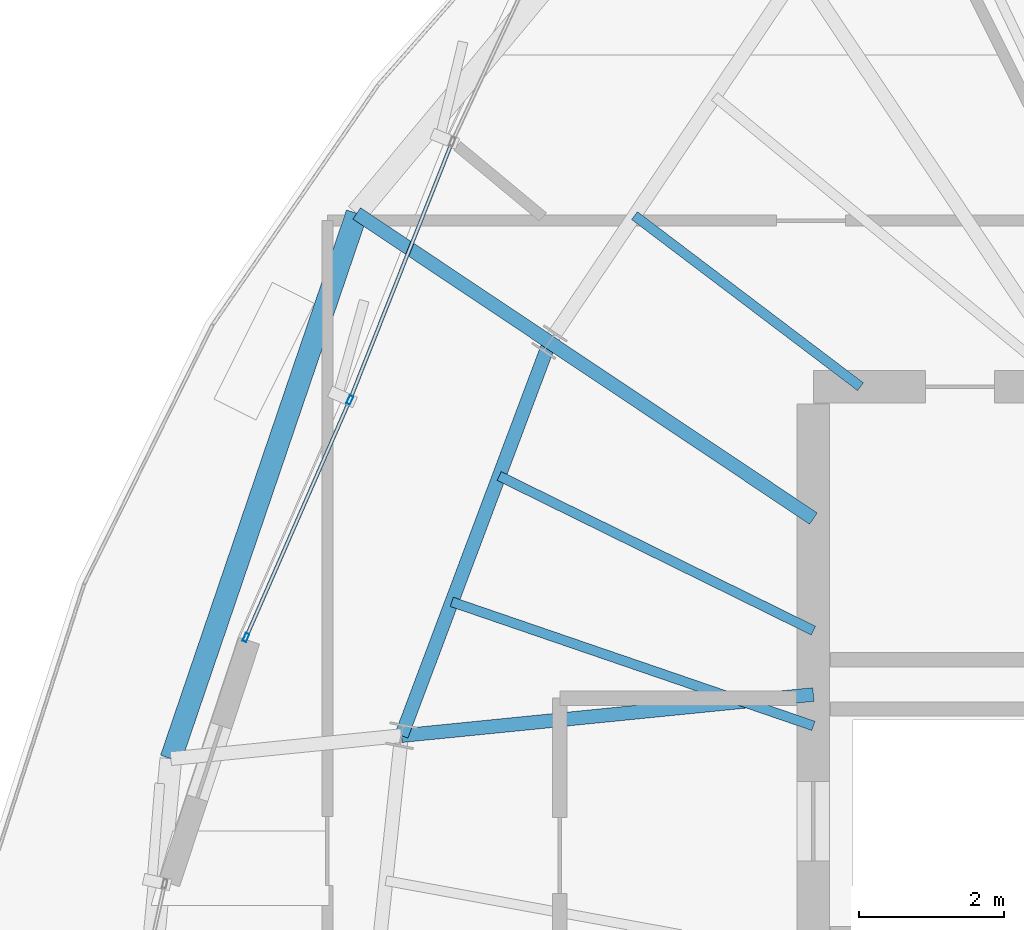
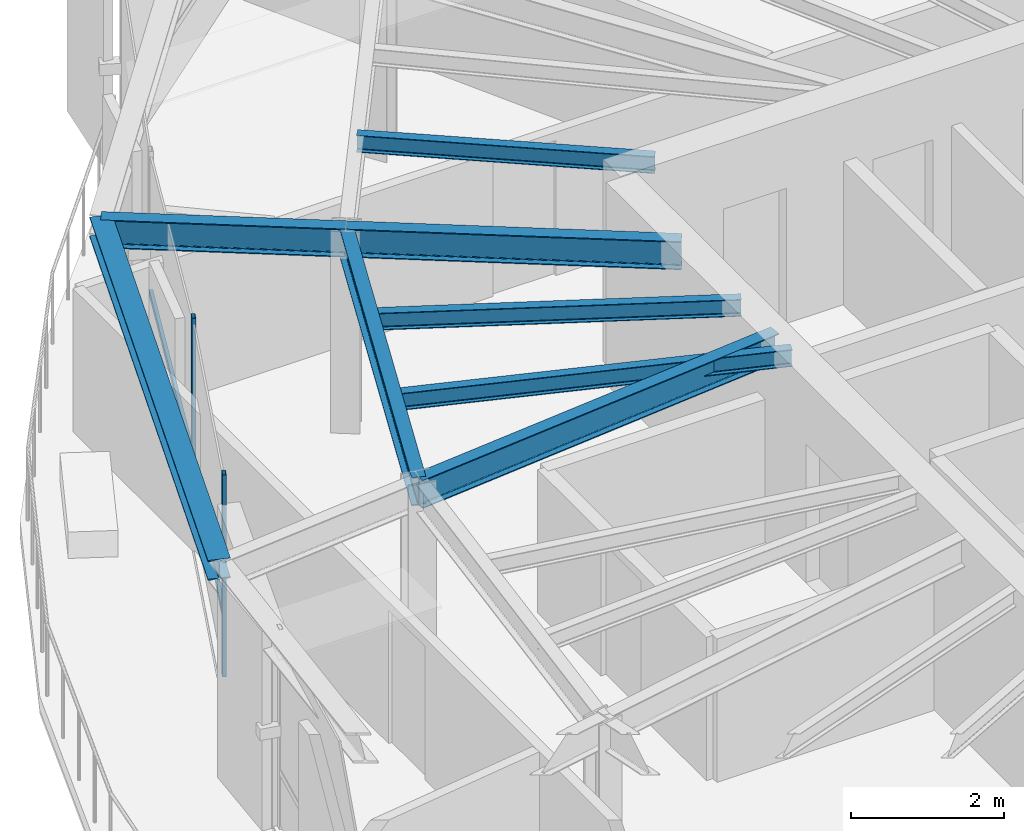
# One storey, part 11 of 36: 8 beams, 4 members, 1 element without a shape of its own.
"""IFC4 building model written with IfcOpenShell, lengths in metres."""

from ifc_helpers import new_model, si_unit, direction, frame, origin, origin_2d, place, context, subcontext, project, spatial, hollow_rectangle, i_section, extrude, source, transform, mapped, material, layer, layer_set, material_profile, profile_set, type_object, element, aggregate, save


model = new_model("IFC4")

# Units and contexts
model_context = context("Model", 3, precision=1e-05, world=origin(), true_north=direction((0.0, 1.0)))
body_context = subcontext(model_context, "Body", "Model", "MODEL_VIEW")
ifc_project = project(units=[si_unit("LENGTHUNIT", "METRE"), si_unit("AREAUNIT", "SQUARE_METRE"), si_unit("VOLUMEUNIT", "CUBIC_METRE"), si_unit("PLANEANGLEUNIT", "RADIAN"), si_unit("MASSUNIT", "GRAM", prefix="KILO"), si_unit("THERMODYNAMICTEMPERATUREUNIT", "KELVIN")], contexts=[model_context])

# Site, building, storey
site_placement = place(None, origin())
site = spatial("IfcSite", under=ifc_project, at=site_placement, CompositionType="ELEMENT")
building_placement = place(site_placement, origin())
building = spatial("IfcBuilding", under=site, at=building_placement, Name="Kethvar Cultural Tower", CompositionType="ELEMENT")
storey_placement = place(building_placement, frame((0.0, 0.0, 242.199951171875)))
storey = spatial("IfcBuildingStorey", under=building, at=storey_placement, Name="L63", CompositionType="ELEMENT", Elevation=242.199951171875)

# Beams
ifc_material_1 = material(Name="Steel S355J2", Category="steel")
ifc_material_profile_1 = material_profile(ifc_material_1, i_section(OverallWidth=0.18994140625, OverallDepth=0.449951171875, WebThickness=0.009521484375, FlangeThickness=0.0146484375, FilletRadius=0.02099609375, at=origin_2d()), Name="Steel S355J2 — IPE450")
ifc_profile_set_1 = profile_set([ifc_material_profile_1], Name="Steel S355J2 — IPE450")
beam_type_1 = type_object("IfcBeamType", Name="BM-IPE450", PredefinedType="BEAM", material=ifc_profile_set_1)
shared_shape_1 = source(origin(), body_context, "Body", "SweptSolid", [
    extrude(i_section(OverallWidth=0.18994140625, OverallDepth=0.449951171875, WebThickness=0.009521484375, FlangeThickness=0.0146484375, FilletRadius=0.02099609375, at=origin_2d()), origin(), (0.0, 0.0, 1.0), 4.3828125),
])
beam_1_placement = place(storey_placement, frame((38.0, 33.679931640625, 2.983154296875), z_axis=(-0.831449909861, 0.555599718676, 0.0), x_axis=(-0.555599718676, -0.831449909861, 0.0)))
element("IfcBeam", 1, at=beam_1_placement, inside=storey, type_object=beam_type_1, Name="L63 Primary Radial Beam RB-07", PredefinedType="BEAM", context=body_context, shape_type="MappedRepresentation", body=[
    mapped(shared_shape_1, transform((0.0, 0.0, 0.0), scale=1.0)),
])
shared_shape_2 = source(origin(), body_context, "Body", "SweptSolid", [
    extrude(i_section(OverallWidth=0.18994140625, OverallDepth=0.449951171875, WebThickness=0.009521484375, FlangeThickness=0.0146484375, FilletRadius=0.02099609375, at=origin_2d()), origin(), (0.0, 0.0, 1.0), 3.19970703125),
])
beam_2_placement = place(storey_placement, frame((34.35595703125, 36.114990234375, 2.983154296875), z_axis=(-0.831498187863, 0.55552746429, 0.0), x_axis=(-0.55552746429, -0.831498187863, 0.0)))
element("IfcBeam", 2, at=beam_2_placement, inside=storey, type_object=beam_type_1, Name="L63 Perimeter Cantilever Beam RC-07", PredefinedType="BEAM", context=body_context, shape_type="MappedRepresentation", body=[
    mapped(shared_shape_2, transform((0.0, 0.0, 0.0), scale=1.0)),
])
shared_shape_3 = source(origin(), body_context, "Body", "SweptSolid", [
    extrude(i_section(OverallWidth=0.18994140625, OverallDepth=0.449951171875, WebThickness=0.009521484375, FlangeThickness=0.0146484375, FilletRadius=0.02099609375, at=origin_2d()), origin(), (0.0, 0.0, 1.0), 5.7158203125),
])
beam_3_placement = place(storey_placement, frame((38.0, 31.25, 2.983154296875), z_axis=(-0.995048179628, -0.099393763478, 0.0), x_axis=(0.099393763478, -0.995048179628, 0.0)))
element("IfcBeam", 3, at=beam_3_placement, inside=storey, type_object=beam_type_1, Name="L63 Primary Radial Beam RB-08", PredefinedType="BEAM", context=body_context, shape_type="MappedRepresentation", body=[
    mapped(shared_shape_3, transform((0.0, 0.0, 0.0), scale=1.0)),
])
ifc_material_profile_2 = material_profile(ifc_material_1, i_section(OverallWidth=0.135009765625, OverallDepth=0.27001953125, WebThickness=0.006591796875, FlangeThickness=0.01025390625, FilletRadius=0.014892578125, at=origin_2d()), Name="Steel S355J2 — IPE270")
ifc_profile_set_2 = profile_set([ifc_material_profile_2], Name="Steel S355J2 — IPE270")
beam_type_2 = type_object("IfcBeamType", Name="BM-J270", PredefinedType="JOIST", material=ifc_profile_set_2)
shared_shape_4 = source(origin(), body_context, "Body", "SweptSolid", [
    extrude(i_section(OverallWidth=0.135009765625, OverallDepth=0.27001953125, WebThickness=0.006591796875, FlangeThickness=0.01025390625, FilletRadius=0.014892578125, at=origin_2d()), origin(), (0.0, 0.0, 1.0), 3.91357421875),
])
beam_4_placement = place(storey_placement, frame((38.64990234375, 35.5, 3.072998046875), z_axis=(-0.797214062325, 0.603696727531, 0.0), x_axis=(-0.603696727531, -0.797214062325, 0.0)))
element("IfcBeam", 4, at=beam_4_placement, inside=storey, type_object=beam_type_2, Name="L63 Composite Floor Joist J-06B", PredefinedType="JOIST", context=body_context, shape_type="MappedRepresentation", body=[
    mapped(shared_shape_4, transform((0.0, 0.0, 0.0), scale=1.0)),
])
shared_shape_5 = source(origin(), body_context, "Body", "SweptSolid", [
    extrude(i_section(OverallWidth=0.18994140625, OverallDepth=0.449951171875, WebThickness=0.009521484375, FlangeThickness=0.0146484375, FilletRadius=0.02099609375, at=origin_2d()), origin(), (0.0, 0.0, 1.0), 5.8046875),
])
beam_5_placement = place(storey_placement, frame((34.35595703125, 36.114990234375, 2.983154296875), z_axis=(-0.352035902861, -0.935986497283, 0.0), x_axis=(0.935986497283, -0.352035902861, 0.0)))
element("IfcBeam", 5, at=beam_5_placement, inside=storey, type_object=beam_type_1, Name="L63 Column Ring Tie Beam CR-07", PredefinedType="BEAM", context=body_context, shape_type="MappedRepresentation", body=[
    mapped(shared_shape_5, transform((0.0, 0.0, 0.0), scale=1.0)),
])
ifc_material_profile_3 = material_profile(ifc_material_1, i_section(OverallWidth=0.300048828125, OverallDepth=0.320068359375, WebThickness=0.011474609375, FlangeThickness=0.0205078125, FilletRadius=0.027099609375, at=origin_2d()), Name="Steel S355J2 — HEB320")
ifc_profile_set_3 = profile_set([ifc_material_profile_3], Name="Steel S355J2 — HEB320")
beam_type_3 = type_object("IfcBeamType", Name="BM-SP320", PredefinedType="SPANDREL", material=ifc_profile_set_3)
shared_shape_6 = source(origin(), body_context, "Body", "SweptSolid", [
    extrude(i_section(OverallWidth=0.300048828125, OverallDepth=0.320068359375, WebThickness=0.011474609375, FlangeThickness=0.0205078125, FilletRadius=0.027099609375, at=origin_2d()), origin(), (0.0, 0.0, 1.0), 7.954345703125),
])
beam_6_placement = place(storey_placement, frame((31.6953125, 37.892578125, 3.048095703125), z_axis=(-0.322730170507, -0.946491012659, 0.0), x_axis=(0.946491012659, -0.322730170507, 0.0)))
element("IfcBeam", 6, at=beam_6_placement, inside=storey, type_object=beam_type_3, Name="L63 Perimeter Spandrel Beam SP-07", PredefinedType="SPANDREL", context=body_context, shape_type="MappedRepresentation", body=[
    mapped(shared_shape_6, transform((0.0, 0.0, 0.0), scale=1.0)),
])
shared_shape_7 = source(origin(), body_context, "Body", "SweptSolid", [
    extrude(i_section(OverallWidth=0.135009765625, OverallDepth=0.27001953125, WebThickness=0.006591796875, FlangeThickness=0.01025390625, FilletRadius=0.014892578125, at=origin_2d()), origin(), (0.0, 0.0, 1.0), 4.8359375),
])
beam_7_placement = place(storey_placement, frame((38.0, 32.1318359375, 3.072998046875), z_axis=(-0.897196527088, 0.441631511308, 0.0), x_axis=(-0.441631511308, -0.897196527088, 0.0)))
element("IfcBeam", 7, at=beam_7_placement, inside=storey, type_object=beam_type_2, Name="L63 Composite Floor Joist J-07A", PredefinedType="JOIST", context=body_context, shape_type="MappedRepresentation", body=[
    mapped(shared_shape_7, transform((0.0, 0.0, 0.0), scale=1.0)),
])
shared_shape_8 = source(origin(), body_context, "Body", "SweptSolid", [
    extrude(i_section(OverallWidth=0.135009765625, OverallDepth=0.27001953125, WebThickness=0.006591796875, FlangeThickness=0.01025390625, FilletRadius=0.014892578125, at=origin_2d()), origin(), (0.0, 0.0, 1.0), 5.2783203125),
])
beam_8_placement = place(storey_placement, frame((38.0, 30.817138671875, 3.072998046875), z_axis=(-0.945942702368, 0.324333784607, 0.0), x_axis=(-0.324333784607, -0.945942702368, 0.0)))
element("IfcBeam", 8, at=beam_8_placement, inside=storey, type_object=beam_type_2, Name="L63 Composite Floor Joist J-07B", PredefinedType="JOIST", context=body_context, shape_type="MappedRepresentation", body=[
    mapped(shared_shape_8, transform((0.0, 0.0, 0.0), scale=1.0)),
])

# Curtain wall, members
ifc_material_2 = material(Name="Aluminium 6063-T6", Category="aluminium")
ifc_layer = layer(ifc_material_2, 0.179931640625, Name="Aluminium 6063-T6", Category="aluminium")
ifc_layer_set = layer_set([ifc_layer], Name="Aluminium 6063-T6 (180 mm)")
curtain_wall_type = type_object("IfcCurtainWallType", Name="CW-SYS-05-Z56", PredefinedType="NOTDEFINED", material=ifc_layer_set)
curtain_wall_placement = place(storey_placement, origin())
curtain_wall = element("IfcCurtainWall", 9, at=curtain_wall_placement, inside=storey, type_object=curtain_wall_type, Name="L63 Curtain Wall Run 02", PredefinedType="NOTDEFINED")
ifc_material_profile_4 = material_profile(ifc_material_2, hollow_rectangle(XDim=0.054931640625, YDim=0.1201171875, WallThickness=0.00390625, at=origin_2d()), Name="Aluminium 6063-T6 — RHS120x55x4")
ifc_profile_set_4 = profile_set([ifc_material_profile_4], Name="Aluminium 6063-T6 — RHS120x55x4")
member_type_1 = type_object("IfcMemberType", Name="CW-SYS-05-Z56-MUL", PredefinedType="MULLION", material=ifc_profile_set_4)
shared_shape_9 = source(origin(), body_context, "Body", "SweptSolid", [
    extrude(hollow_rectangle(XDim=0.054931640625, YDim=0.1201171875, WallThickness=0.00390625, at=origin_2d()), origin(), (0.0, 0.0, 1.0), 3.2099609375),
])
member_1_placement = place(storey_placement, frame((31.59912109375, 35.314697265625, 0.0), z_axis=(0.0, 0.0, 1.0), x_axis=(0.916166972701, -0.400796804043, 0.0)))
member_1 = element("IfcMember", 10, at=member_1_placement, type_object=member_type_1, Name="CW-L63-R02 Mullion 5", PredefinedType="MULLION", context=body_context, shape_type="MappedRepresentation", body=[
    mapped(shared_shape_9, transform((0.0, 0.0, 0.0), scale=1.0)),
])
member_2_placement = place(storey_placement, frame((30.164794921875, 32.0361328125, 0.0), z_axis=(0.0, 0.0, 1.0), x_axis=(0.916166972701, -0.400796804043, 0.0)))
member_2 = element("IfcMember", 11, at=member_2_placement, type_object=member_type_1, Name="CW-L63-R02 Mullion 6", PredefinedType="MULLION", context=body_context, shape_type="MappedRepresentation", body=[
    mapped(shared_shape_9, transform((0.0, 0.0, 0.0), scale=1.0)),
])
ifc_material_profile_5 = material_profile(ifc_material_2, hollow_rectangle(XDim=0.050048828125, YDim=0.10009765625, WallThickness=0.00390625, at=origin_2d()), Name="Aluminium 6063-T6 — RHS100x50x4")
ifc_profile_set_5 = profile_set([ifc_material_profile_5], Name="Aluminium 6063-T6 — RHS100x50x4")
member_type_2 = type_object("IfcMemberType", Name="CW-SYS-05-Z56-TRN", PredefinedType="USERDEFINED", material=ifc_profile_set_5)
shared_shape_10 = source(origin(), body_context, "Body", "SweptSolid", [
    extrude(hollow_rectangle(XDim=0.050048828125, YDim=0.10009765625, WallThickness=0.00390625, at=origin_2d()), origin(), (0.0, 0.0, 1.0), 3.75537109375),
])
member_3_placement = place(storey_placement, frame((32.998779296875, 38.845947265625, 0.949951171875), z_axis=(-0.368418436796, -0.929660075204, 0.0), x_axis=(0.929660075204, -0.368418436796, 0.0)))
member_3 = element("IfcMember", 12, at=member_3_placement, type_object=member_type_2, Name="CW-L63-R02 Transom 4", ObjectType="TRANSOM", PredefinedType="USERDEFINED", context=body_context, shape_type="MappedRepresentation", body=[
    mapped(shared_shape_10, transform((0.0, 0.0, 0.0), scale=1.0)),
])
shared_shape_11 = source(origin(), body_context, "Body", "SweptSolid", [
    extrude(hollow_rectangle(XDim=0.050048828125, YDim=0.10009765625, WallThickness=0.00390625, at=origin_2d()), origin(), (0.0, 0.0, 1.0), 3.53515625),
])
member_4_placement = place(storey_placement, frame((31.583251953125, 35.2783203125, 0.949951171875), z_axis=(-0.400768112293, -0.916179523985, 0.0), x_axis=(0.916179523985, -0.400768112293, 0.0)))
member_4 = element("IfcMember", 13, at=member_4_placement, type_object=member_type_2, Name="CW-L63-R02 Transom 5", ObjectType="TRANSOM", PredefinedType="USERDEFINED", context=body_context, shape_type="MappedRepresentation", body=[
    mapped(shared_shape_11, transform((0.0, 0.0, 0.0), scale=1.0)),
])
aggregate(curtain_wall, [member_1, member_2, member_3, member_4])

save(model, "model.ifc")
